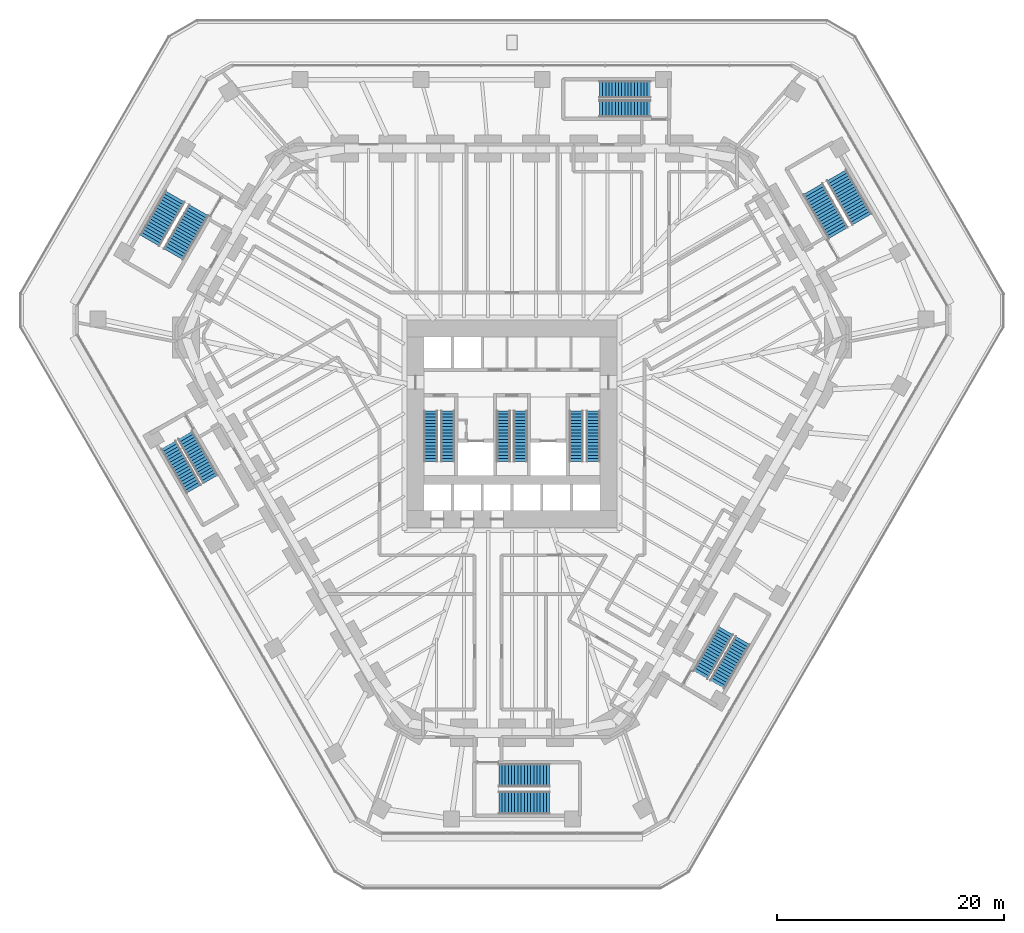
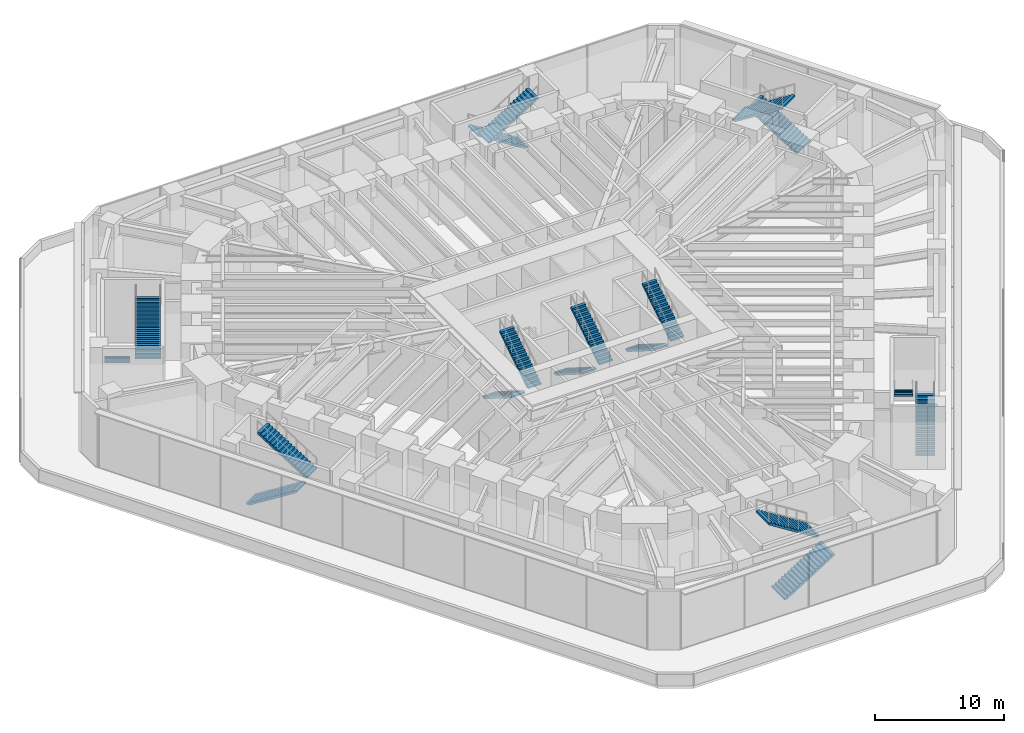
# One storey, part 20 of 24: 18 stair flights, 9 elements without a shape of their own.
"""IFC4 building model written with IfcOpenShell, lengths in metres."""

from ifc_helpers import new_model, si_unit, direction, frame, origin, place, context, subcontext, project, spatial, polyline, outline, extrude, material, type_object, element, aggregate, save


model = new_model("IFC4")

# Units and contexts
model_context = context("Model", 3, precision=1e-05, world=origin(), true_north=direction((0.0, 1.0)))
body_context = subcontext(model_context, "Body", "Model", "MODEL_VIEW")
ifc_project = project(units=[si_unit("LENGTHUNIT", "METRE"), si_unit("AREAUNIT", "SQUARE_METRE"), si_unit("VOLUMEUNIT", "CUBIC_METRE"), si_unit("PLANEANGLEUNIT", "RADIAN"), si_unit("MASSUNIT", "GRAM", prefix="KILO")], contexts=[model_context])

# Site, building, storey
site_placement = place(None, origin())
site = spatial("IfcSite", under=ifc_project, at=site_placement, CompositionType="ELEMENT")
building_placement = place(site_placement, origin())
building = spatial("IfcBuilding", under=site, at=building_placement, Name="Sandreach Pilgrim Tower", CompositionType="ELEMENT")
storey_placement = place(building_placement, frame((0.0, 0.0, 12.0)))
storey = spatial("IfcBuildingStorey", under=building, at=storey_placement, Name="L02", CompositionType="ELEMENT", Elevation=12.0)

# Stair, stair flights
ifc_material_1 = material(Name="Concrete 8000 psi", Category="concrete")
stair_type_1 = type_object("IfcStairType", Name="Core exit stair", PredefinedType="HALF_TURN_STAIR", material=ifc_material_1)
stair_1_placement = place(storey_placement, origin())
stair_1 = element("IfcStair", 1, at=stair_1_placement, inside=storey, type_object=stair_type_1, Name="Exit stair ST1 L02", PredefinedType="HALF_TURN_STAIR")
ifc_material_2 = material(Name="Concrete 8000 psi", Category="concrete")
stair_flight_type_1 = type_object("IfcStairFlightType", Name="Core stair flight 1200", PredefinedType="STRAIGHT", material=ifc_material_2)
stair_flight_1_placement = place(storey_placement, frame((-7.14990234375, -0.39990234375, 0.0), z_axis=(0.0, 0.0, 1.0), x_axis=(0.0, -1.0, 0.0)))
stair_flight_1 = element("IfcStairFlight", 2, at=stair_flight_1_placement, type_object=stair_flight_type_1, Name="ST1 flight 1", NumberOfRisers=17, NumberOfTreads=16, PredefinedType="STRAIGHT", RiserHeight=0.176470588, TreadLength=0.28, context=body_context, shape_type="SweptSolid", body=[
    extrude(outline(polyline([(0.0, 0.0), (0.0, 0.176513671875), (0.280029296875, 0.176513671875), (0.280029296875, 0.35302734375), (0.56005859375, 0.35302734375), (0.56005859375, 0.529296875), (0.840087890625, 0.529296875), (0.840087890625, 0.705810546875), (1.1201171875, 0.705810546875), (1.1201171875, 0.88232421875), (1.39990234375, 0.88232421875), (1.39990234375, 1.058837890625), (1.679931640625, 1.058837890625), (1.679931640625, 1.2353515625), (1.9599609375, 1.2353515625), (1.9599609375, 1.411865234375), (2.239990234375, 1.411865234375), (2.239990234375, 1.588134765625), (2.52001953125, 1.588134765625), (2.52001953125, 1.7646484375), (2.800048828125, 1.7646484375), (2.800048828125, 1.941162109375), (3.080078125, 1.941162109375), (3.080078125, 2.11767578125), (3.360107421875, 2.11767578125), (3.360107421875, 2.294189453125), (3.639892578125, 2.294189453125), (3.639892578125, 2.470703125), (3.919921875, 2.470703125), (3.919921875, 2.64697265625), (4.199951171875, 2.64697265625), (4.199951171875, 2.823486328125), (4.47998046875, 2.823486328125), (4.47998046875, 3.0), (4.47998046875, 2.646240234375), (0.28125, 0.0), (0.0, 0.0)])), frame((0.0, 0.60009765625, 0.0), z_axis=(0.0, -1.0, 0.0), x_axis=(1.0, 0.0, 0.0)), (0.0, 0.0, 1.0), 1.199951171875),
])
stair_flight_2_placement = place(storey_placement, frame((-5.64990234375, -4.8798828125, 3.0), z_axis=(0.0, 0.0, 1.0), x_axis=(0.0, 1.0, 0.0)))
stair_flight_2 = element("IfcStairFlight", 3, at=stair_flight_2_placement, type_object=stair_flight_type_1, Name="ST1 flight 2", NumberOfRisers=17, NumberOfTreads=16, PredefinedType="STRAIGHT", RiserHeight=0.176470588, TreadLength=0.28, context=body_context, shape_type="SweptSolid", body=[
    extrude(outline(polyline([(0.0, 0.0), (0.0, 0.176513671875), (0.280029296875, 0.176513671875), (0.280029296875, 0.35302734375), (0.56005859375, 0.35302734375), (0.56005859375, 0.529296875), (0.840087890625, 0.529296875), (0.840087890625, 0.705810546875), (1.1201171875, 0.705810546875), (1.1201171875, 0.88232421875), (1.39990234375, 0.88232421875), (1.39990234375, 1.058837890625), (1.679931640625, 1.058837890625), (1.679931640625, 1.2353515625), (1.9599609375, 1.2353515625), (1.9599609375, 1.411865234375), (2.239990234375, 1.411865234375), (2.239990234375, 1.588134765625), (2.52001953125, 1.588134765625), (2.52001953125, 1.7646484375), (2.800048828125, 1.7646484375), (2.800048828125, 1.941162109375), (3.080078125, 1.941162109375), (3.080078125, 2.11767578125), (3.360107421875, 2.11767578125), (3.360107421875, 2.294189453125), (3.639892578125, 2.294189453125), (3.639892578125, 2.470703125), (3.919921875, 2.470703125), (3.919921875, 2.64697265625), (4.199951171875, 2.64697265625), (4.199951171875, 2.823486328125), (4.47998046875, 2.823486328125), (4.47998046875, 3.0), (4.47998046875, 2.646240234375), (0.28125, 0.0), (0.0, 0.0)])), frame((0.0, 0.60009765625, 0.0), z_axis=(0.0, -1.0, 0.0), x_axis=(1.0, 0.0, 0.0)), (0.0, 0.0, 1.0), 1.199951171875),
])
aggregate(stair_1, [stair_flight_1, stair_flight_2])

stair_2_placement = place(storey_placement, origin())
stair_2 = element("IfcStair", 4, at=stair_2_placement, inside=storey, type_object=stair_type_1, Name="Exit stair ST3 L02", PredefinedType="HALF_TURN_STAIR")
stair_flight_3_placement = place(storey_placement, frame((-0.75, -0.39990234375, 0.0), z_axis=(0.0, 0.0, 1.0), x_axis=(0.0, -1.0, 0.0)))
stair_flight_3 = element("IfcStairFlight", 5, at=stair_flight_3_placement, type_object=stair_flight_type_1, Name="ST3 flight 1", NumberOfRisers=17, NumberOfTreads=16, PredefinedType="STRAIGHT", RiserHeight=0.176470588, TreadLength=0.28, context=body_context, shape_type="SweptSolid", body=[
    extrude(outline(polyline([(0.0, 0.0), (0.0, 0.176513671875), (0.280029296875, 0.176513671875), (0.280029296875, 0.35302734375), (0.56005859375, 0.35302734375), (0.56005859375, 0.529296875), (0.840087890625, 0.529296875), (0.840087890625, 0.705810546875), (1.1201171875, 0.705810546875), (1.1201171875, 0.88232421875), (1.39990234375, 0.88232421875), (1.39990234375, 1.058837890625), (1.679931640625, 1.058837890625), (1.679931640625, 1.2353515625), (1.9599609375, 1.2353515625), (1.9599609375, 1.411865234375), (2.239990234375, 1.411865234375), (2.239990234375, 1.588134765625), (2.52001953125, 1.588134765625), (2.52001953125, 1.7646484375), (2.800048828125, 1.7646484375), (2.800048828125, 1.941162109375), (3.080078125, 1.941162109375), (3.080078125, 2.11767578125), (3.360107421875, 2.11767578125), (3.360107421875, 2.294189453125), (3.639892578125, 2.294189453125), (3.639892578125, 2.470703125), (3.919921875, 2.470703125), (3.919921875, 2.64697265625), (4.199951171875, 2.64697265625), (4.199951171875, 2.823486328125), (4.47998046875, 2.823486328125), (4.47998046875, 3.0), (4.47998046875, 2.646240234375), (0.28125, 0.0), (0.0, 0.0)])), frame((0.0, 0.60009765625, 0.0), z_axis=(0.0, -1.0, 0.0), x_axis=(1.0, 0.0, 0.0)), (0.0, 0.0, 1.0), 1.199951171875),
])
stair_flight_4_placement = place(storey_placement, frame((0.75, -4.8798828125, 3.0), z_axis=(0.0, 0.0, 1.0), x_axis=(0.0, 1.0, 0.0)))
stair_flight_4 = element("IfcStairFlight", 6, at=stair_flight_4_placement, type_object=stair_flight_type_1, Name="ST3 flight 2", NumberOfRisers=17, NumberOfTreads=16, PredefinedType="STRAIGHT", RiserHeight=0.176470588, TreadLength=0.28, context=body_context, shape_type="SweptSolid", body=[
    extrude(outline(polyline([(0.0, 0.0), (0.0, 0.176513671875), (0.280029296875, 0.176513671875), (0.280029296875, 0.35302734375), (0.56005859375, 0.35302734375), (0.56005859375, 0.529296875), (0.840087890625, 0.529296875), (0.840087890625, 0.705810546875), (1.1201171875, 0.705810546875), (1.1201171875, 0.88232421875), (1.39990234375, 0.88232421875), (1.39990234375, 1.058837890625), (1.679931640625, 1.058837890625), (1.679931640625, 1.2353515625), (1.9599609375, 1.2353515625), (1.9599609375, 1.411865234375), (2.239990234375, 1.411865234375), (2.239990234375, 1.588134765625), (2.52001953125, 1.588134765625), (2.52001953125, 1.7646484375), (2.800048828125, 1.7646484375), (2.800048828125, 1.941162109375), (3.080078125, 1.941162109375), (3.080078125, 2.11767578125), (3.360107421875, 2.11767578125), (3.360107421875, 2.294189453125), (3.639892578125, 2.294189453125), (3.639892578125, 2.470703125), (3.919921875, 2.470703125), (3.919921875, 2.64697265625), (4.199951171875, 2.64697265625), (4.199951171875, 2.823486328125), (4.47998046875, 2.823486328125), (4.47998046875, 3.0), (4.47998046875, 2.646240234375), (0.28125, 0.0), (0.0, 0.0)])), frame((0.0, 0.60009765625, 0.0), z_axis=(0.0, -1.0, 0.0), x_axis=(1.0, 0.0, 0.0)), (0.0, 0.0, 1.0), 1.199951171875),
])
aggregate(stair_2, [stair_flight_3, stair_flight_4])

stair_3_placement = place(storey_placement, origin())
stair_3 = element("IfcStair", 7, at=stair_3_placement, inside=storey, type_object=stair_type_1, Name="Exit stair ST2 L02", PredefinedType="HALF_TURN_STAIR")
stair_flight_5_placement = place(storey_placement, frame((5.64990234375, -0.39990234375, 0.0), z_axis=(0.0, 0.0, 1.0), x_axis=(0.0, -1.0, 0.0)))
stair_flight_5 = element("IfcStairFlight", 8, at=stair_flight_5_placement, type_object=stair_flight_type_1, Name="ST2 flight 1", NumberOfRisers=17, NumberOfTreads=16, PredefinedType="STRAIGHT", RiserHeight=0.176470588, TreadLength=0.28, context=body_context, shape_type="SweptSolid", body=[
    extrude(outline(polyline([(0.0, 0.0), (0.0, 0.176513671875), (0.280029296875, 0.176513671875), (0.280029296875, 0.35302734375), (0.56005859375, 0.35302734375), (0.56005859375, 0.529296875), (0.840087890625, 0.529296875), (0.840087890625, 0.705810546875), (1.1201171875, 0.705810546875), (1.1201171875, 0.88232421875), (1.39990234375, 0.88232421875), (1.39990234375, 1.058837890625), (1.679931640625, 1.058837890625), (1.679931640625, 1.2353515625), (1.9599609375, 1.2353515625), (1.9599609375, 1.411865234375), (2.239990234375, 1.411865234375), (2.239990234375, 1.588134765625), (2.52001953125, 1.588134765625), (2.52001953125, 1.7646484375), (2.800048828125, 1.7646484375), (2.800048828125, 1.941162109375), (3.080078125, 1.941162109375), (3.080078125, 2.11767578125), (3.360107421875, 2.11767578125), (3.360107421875, 2.294189453125), (3.639892578125, 2.294189453125), (3.639892578125, 2.470703125), (3.919921875, 2.470703125), (3.919921875, 2.64697265625), (4.199951171875, 2.64697265625), (4.199951171875, 2.823486328125), (4.47998046875, 2.823486328125), (4.47998046875, 3.0), (4.47998046875, 2.646240234375), (0.28125, 0.0), (0.0, 0.0)])), frame((0.0, 0.60009765625, 0.0), z_axis=(0.0, -1.0, 0.0), x_axis=(1.0, 0.0, 0.0)), (0.0, 0.0, 1.0), 1.199951171875),
])
stair_flight_6_placement = place(storey_placement, frame((7.14990234375, -4.8798828125, 3.0), z_axis=(0.0, 0.0, 1.0), x_axis=(0.0, 1.0, 0.0)))
stair_flight_6 = element("IfcStairFlight", 9, at=stair_flight_6_placement, type_object=stair_flight_type_1, Name="ST2 flight 2", NumberOfRisers=17, NumberOfTreads=16, PredefinedType="STRAIGHT", RiserHeight=0.176470588, TreadLength=0.28, context=body_context, shape_type="SweptSolid", body=[
    extrude(outline(polyline([(0.0, 0.0), (0.0, 0.176513671875), (0.280029296875, 0.176513671875), (0.280029296875, 0.35302734375), (0.56005859375, 0.35302734375), (0.56005859375, 0.529296875), (0.840087890625, 0.529296875), (0.840087890625, 0.705810546875), (1.1201171875, 0.705810546875), (1.1201171875, 0.88232421875), (1.39990234375, 0.88232421875), (1.39990234375, 1.058837890625), (1.679931640625, 1.058837890625), (1.679931640625, 1.2353515625), (1.9599609375, 1.2353515625), (1.9599609375, 1.411865234375), (2.239990234375, 1.411865234375), (2.239990234375, 1.588134765625), (2.52001953125, 1.588134765625), (2.52001953125, 1.7646484375), (2.800048828125, 1.7646484375), (2.800048828125, 1.941162109375), (3.080078125, 1.941162109375), (3.080078125, 2.11767578125), (3.360107421875, 2.11767578125), (3.360107421875, 2.294189453125), (3.639892578125, 2.294189453125), (3.639892578125, 2.470703125), (3.919921875, 2.470703125), (3.919921875, 2.64697265625), (4.199951171875, 2.64697265625), (4.199951171875, 2.823486328125), (4.47998046875, 2.823486328125), (4.47998046875, 3.0), (4.47998046875, 2.646240234375), (0.28125, 0.0), (0.0, 0.0)])), frame((0.0, 0.60009765625, 0.0), z_axis=(0.0, -1.0, 0.0), x_axis=(1.0, 0.0, 0.0)), (0.0, 0.0, 1.0), 1.199951171875),
])
aggregate(stair_3, [stair_flight_5, stair_flight_6])

ifc_material_3 = material(Name="Concrete 8000 psi", Category="concrete")
stair_type_2 = type_object("IfcStairType", Name="Narrow podium exit stair", PredefinedType="HALF_TURN_STAIR", material=ifc_material_3)
stair_4_placement = place(storey_placement, origin())
stair_4 = element("IfcStair", 10, at=stair_4_placement, inside=storey, type_object=stair_type_2, Name="Exit stair ST7 L02", PredefinedType="HALF_TURN_STAIR")
ifc_material_4 = material(Name="Concrete 8000 psi", Category="concrete")
stair_flight_type_2 = type_object("IfcStairFlightType", Name="Podium stair flight 1500", PredefinedType="STRAIGHT", material=ifc_material_4)
stair_flight_7_placement = place(storey_placement, frame((12.1796875, 27.898681640625, 0.0), z_axis=(0.0, 0.0, 1.0), x_axis=(-1.0, 0.0, 0.0)))
stair_flight_7 = element("IfcStairFlight", 11, at=stair_flight_7_placement, type_object=stair_flight_type_2, Name="ST7 flight 1", NumberOfRisers=17, NumberOfTreads=16, PredefinedType="STRAIGHT", RiserHeight=0.176470588, TreadLength=0.28, context=body_context, shape_type="SweptSolid", body=[
    extrude(outline(polyline([(0.0, 0.0), (0.0, 0.176513671875), (0.280029296875, 0.176513671875), (0.280029296875, 0.35302734375), (0.56005859375, 0.35302734375), (0.56005859375, 0.529296875), (0.840087890625, 0.529296875), (0.840087890625, 0.705810546875), (1.1201171875, 0.705810546875), (1.1201171875, 0.88232421875), (1.39990234375, 0.88232421875), (1.39990234375, 1.058837890625), (1.679931640625, 1.058837890625), (1.679931640625, 1.2353515625), (1.9599609375, 1.2353515625), (1.9599609375, 1.411865234375), (2.239990234375, 1.411865234375), (2.239990234375, 1.588134765625), (2.52001953125, 1.588134765625), (2.52001953125, 1.7646484375), (2.800048828125, 1.7646484375), (2.800048828125, 1.941162109375), (3.080078125, 1.941162109375), (3.080078125, 2.11767578125), (3.360107421875, 2.11767578125), (3.360107421875, 2.294189453125), (3.639892578125, 2.294189453125), (3.639892578125, 2.470703125), (3.919921875, 2.470703125), (3.919921875, 2.64697265625), (4.199951171875, 2.64697265625), (4.199951171875, 2.823486328125), (4.47998046875, 2.823486328125), (4.47998046875, 3.0), (4.47998046875, 2.646240234375), (0.28125, 0.0), (0.0, 0.0)])), frame((0.0, 0.75, 0.0), z_axis=(0.0, -1.0, 0.0), x_axis=(1.0, 0.0, 0.0)), (0.0, 0.0, 1.0), 1.5),
])
stair_flight_8_placement = place(storey_placement, frame((7.69970703125, 26.19873046875, 3.0), z_axis=(0.0, 0.0, 1.0), x_axis=(1.0, 0.0, 0.0)))
stair_flight_8 = element("IfcStairFlight", 12, at=stair_flight_8_placement, type_object=stair_flight_type_2, Name="ST7 flight 2", NumberOfRisers=17, NumberOfTreads=16, PredefinedType="STRAIGHT", RiserHeight=0.176470588, TreadLength=0.28, context=body_context, shape_type="SweptSolid", body=[
    extrude(outline(polyline([(0.0, 0.0), (0.0, 0.176513671875), (0.280029296875, 0.176513671875), (0.280029296875, 0.35302734375), (0.56005859375, 0.35302734375), (0.56005859375, 0.529296875), (0.840087890625, 0.529296875), (0.840087890625, 0.705810546875), (1.1201171875, 0.705810546875), (1.1201171875, 0.88232421875), (1.39990234375, 0.88232421875), (1.39990234375, 1.058837890625), (1.679931640625, 1.058837890625), (1.679931640625, 1.2353515625), (1.9599609375, 1.2353515625), (1.9599609375, 1.411865234375), (2.239990234375, 1.411865234375), (2.239990234375, 1.588134765625), (2.52001953125, 1.588134765625), (2.52001953125, 1.7646484375), (2.800048828125, 1.7646484375), (2.800048828125, 1.941162109375), (3.080078125, 1.941162109375), (3.080078125, 2.11767578125), (3.360107421875, 2.11767578125), (3.360107421875, 2.294189453125), (3.639892578125, 2.294189453125), (3.639892578125, 2.470703125), (3.919921875, 2.470703125), (3.919921875, 2.64697265625), (4.199951171875, 2.64697265625), (4.199951171875, 2.823486328125), (4.47998046875, 2.823486328125), (4.47998046875, 3.0), (4.47998046875, 2.646240234375), (0.28125, 0.0), (0.0, 0.0)])), frame((0.0, 0.75, 0.0), z_axis=(0.0, -1.0, 0.0), x_axis=(1.0, 0.0, 0.0)), (0.0, 0.0, 1.0), 1.5),
])
aggregate(stair_4, [stair_flight_7, stair_flight_8])

stair_5_placement = place(storey_placement, origin())
stair_5 = element("IfcStair", 13, at=stair_5_placement, inside=storey, type_object=stair_type_2, Name="Exit stair ST8 L02", PredefinedType="HALF_TURN_STAIR")
stair_flight_9_placement = place(storey_placement, frame((18.071044921875, -24.497314453125, 0.0), z_axis=(0.0, 0.0, 1.0), x_axis=(0.5, 0.866025403784, 0.0)))
stair_flight_9 = element("IfcStairFlight", 14, at=stair_flight_9_placement, type_object=stair_flight_type_2, Name="ST8 flight 1", NumberOfRisers=17, NumberOfTreads=16, PredefinedType="STRAIGHT", RiserHeight=0.176470588, TreadLength=0.28, context=body_context, shape_type="SweptSolid", body=[
    extrude(outline(polyline([(0.0, 0.0), (0.0, 0.176513671875), (0.280029296875, 0.176513671875), (0.280029296875, 0.35302734375), (0.56005859375, 0.35302734375), (0.56005859375, 0.529296875), (0.840087890625, 0.529296875), (0.840087890625, 0.705810546875), (1.1201171875, 0.705810546875), (1.1201171875, 0.88232421875), (1.39990234375, 0.88232421875), (1.39990234375, 1.058837890625), (1.679931640625, 1.058837890625), (1.679931640625, 1.2353515625), (1.9599609375, 1.2353515625), (1.9599609375, 1.411865234375), (2.239990234375, 1.411865234375), (2.239990234375, 1.588134765625), (2.52001953125, 1.588134765625), (2.52001953125, 1.7646484375), (2.800048828125, 1.7646484375), (2.800048828125, 1.941162109375), (3.080078125, 1.941162109375), (3.080078125, 2.11767578125), (3.360107421875, 2.11767578125), (3.360107421875, 2.294189453125), (3.639892578125, 2.294189453125), (3.639892578125, 2.470703125), (3.919921875, 2.470703125), (3.919921875, 2.64697265625), (4.199951171875, 2.64697265625), (4.199951171875, 2.823486328125), (4.47998046875, 2.823486328125), (4.47998046875, 3.0), (4.47998046875, 2.646240234375), (0.28125, 0.0), (0.0, 0.0)])), frame((0.0, 0.75, 0.0), z_axis=(0.0, -1.0, 0.0), x_axis=(1.0, 0.0, 0.0)), (0.0, 0.0, 1.0), 1.5),
])
stair_flight_10_placement = place(storey_placement, frame((18.8388671875, -19.767578125, 3.0), z_axis=(0.0, 0.0, 1.0), x_axis=(-0.5, -0.866025403784, 0.0)))
stair_flight_10 = element("IfcStairFlight", 15, at=stair_flight_10_placement, type_object=stair_flight_type_2, Name="ST8 flight 2", NumberOfRisers=17, NumberOfTreads=16, PredefinedType="STRAIGHT", RiserHeight=0.176470588, TreadLength=0.28, context=body_context, shape_type="SweptSolid", body=[
    extrude(outline(polyline([(0.0, 0.0), (0.0, 0.176513671875), (0.280029296875, 0.176513671875), (0.280029296875, 0.35302734375), (0.56005859375, 0.35302734375), (0.56005859375, 0.529296875), (0.840087890625, 0.529296875), (0.840087890625, 0.705810546875), (1.1201171875, 0.705810546875), (1.1201171875, 0.88232421875), (1.39990234375, 0.88232421875), (1.39990234375, 1.058837890625), (1.679931640625, 1.058837890625), (1.679931640625, 1.2353515625), (1.9599609375, 1.2353515625), (1.9599609375, 1.411865234375), (2.239990234375, 1.411865234375), (2.239990234375, 1.588134765625), (2.52001953125, 1.588134765625), (2.52001953125, 1.7646484375), (2.800048828125, 1.7646484375), (2.800048828125, 1.941162109375), (3.080078125, 1.941162109375), (3.080078125, 2.11767578125), (3.360107421875, 2.11767578125), (3.360107421875, 2.294189453125), (3.639892578125, 2.294189453125), (3.639892578125, 2.470703125), (3.919921875, 2.470703125), (3.919921875, 2.64697265625), (4.199951171875, 2.64697265625), (4.199951171875, 2.823486328125), (4.47998046875, 2.823486328125), (4.47998046875, 3.0), (4.47998046875, 2.646240234375), (0.28125, 0.0), (0.0, 0.0)])), frame((0.0, 0.75, 0.0), z_axis=(0.0, -1.0, 0.0), x_axis=(1.0, 0.0, 0.0)), (0.0, 0.0, 1.0), 1.5),
])
aggregate(stair_5, [stair_flight_9, stair_flight_10])

stair_6_placement = place(storey_placement, origin())
stair_6 = element("IfcStair", 16, at=stair_6_placement, inside=storey, type_object=stair_type_2, Name="Exit stair ST9 L02", PredefinedType="HALF_TURN_STAIR")
stair_flight_11_placement = place(storey_placement, frame((-30.2509765625, -3.4013671875, 0.0), z_axis=(0.0, 0.0, 1.0), x_axis=(0.5, -0.866025403784, 0.0)))
stair_flight_11 = element("IfcStairFlight", 17, at=stair_flight_11_placement, type_object=stair_flight_type_2, Name="ST9 flight 1", NumberOfRisers=17, NumberOfTreads=16, PredefinedType="STRAIGHT", RiserHeight=0.176470588, TreadLength=0.28, context=body_context, shape_type="SweptSolid", body=[
    extrude(outline(polyline([(0.0, 0.0), (0.0, 0.176513671875), (0.280029296875, 0.176513671875), (0.280029296875, 0.35302734375), (0.56005859375, 0.35302734375), (0.56005859375, 0.529296875), (0.840087890625, 0.529296875), (0.840087890625, 0.705810546875), (1.1201171875, 0.705810546875), (1.1201171875, 0.88232421875), (1.39990234375, 0.88232421875), (1.39990234375, 1.058837890625), (1.679931640625, 1.058837890625), (1.679931640625, 1.2353515625), (1.9599609375, 1.2353515625), (1.9599609375, 1.411865234375), (2.239990234375, 1.411865234375), (2.239990234375, 1.588134765625), (2.52001953125, 1.588134765625), (2.52001953125, 1.7646484375), (2.800048828125, 1.7646484375), (2.800048828125, 1.941162109375), (3.080078125, 1.941162109375), (3.080078125, 2.11767578125), (3.360107421875, 2.11767578125), (3.360107421875, 2.294189453125), (3.639892578125, 2.294189453125), (3.639892578125, 2.470703125), (3.919921875, 2.470703125), (3.919921875, 2.64697265625), (4.199951171875, 2.64697265625), (4.199951171875, 2.823486328125), (4.47998046875, 2.823486328125), (4.47998046875, 3.0), (4.47998046875, 2.646240234375), (0.28125, 0.0), (0.0, 0.0)])), frame((0.0, 0.75, 0.0), z_axis=(0.0, -1.0, 0.0), x_axis=(1.0, 0.0, 0.0)), (0.0, 0.0, 1.0), 1.5),
])
stair_flight_12_placement = place(storey_placement, frame((-26.53857421875, -6.43115234375, 3.0), z_axis=(0.0, 0.0, 1.0), x_axis=(-0.5, 0.866025403784, 0.0)))
stair_flight_12 = element("IfcStairFlight", 18, at=stair_flight_12_placement, type_object=stair_flight_type_2, Name="ST9 flight 2", NumberOfRisers=17, NumberOfTreads=16, PredefinedType="STRAIGHT", RiserHeight=0.176470588, TreadLength=0.28, context=body_context, shape_type="SweptSolid", body=[
    extrude(outline(polyline([(0.0, 0.0), (0.0, 0.176513671875), (0.280029296875, 0.176513671875), (0.280029296875, 0.35302734375), (0.56005859375, 0.35302734375), (0.56005859375, 0.529296875), (0.840087890625, 0.529296875), (0.840087890625, 0.705810546875), (1.1201171875, 0.705810546875), (1.1201171875, 0.88232421875), (1.39990234375, 0.88232421875), (1.39990234375, 1.058837890625), (1.679931640625, 1.058837890625), (1.679931640625, 1.2353515625), (1.9599609375, 1.2353515625), (1.9599609375, 1.411865234375), (2.239990234375, 1.411865234375), (2.239990234375, 1.588134765625), (2.52001953125, 1.588134765625), (2.52001953125, 1.7646484375), (2.800048828125, 1.7646484375), (2.800048828125, 1.941162109375), (3.080078125, 1.941162109375), (3.080078125, 2.11767578125), (3.360107421875, 2.11767578125), (3.360107421875, 2.294189453125), (3.639892578125, 2.294189453125), (3.639892578125, 2.470703125), (3.919921875, 2.470703125), (3.919921875, 2.64697265625), (4.199951171875, 2.64697265625), (4.199951171875, 2.823486328125), (4.47998046875, 2.823486328125), (4.47998046875, 3.0), (4.47998046875, 2.646240234375), (0.28125, 0.0), (0.0, 0.0)])), frame((0.0, 0.75, 0.0), z_axis=(0.0, -1.0, 0.0), x_axis=(1.0, 0.0, 0.0)), (0.0, 0.0, 1.0), 1.5),
])
aggregate(stair_6, [stair_flight_11, stair_flight_12])

ifc_material_5 = material(Name="Concrete 8000 psi", Category="concrete")
stair_type_3 = type_object("IfcStairType", Name="Podium exit stair", PredefinedType="HALF_TURN_STAIR", material=ifc_material_5)
stair_7_placement = place(storey_placement, origin())
stair_7 = element("IfcStair", 19, at=stair_7_placement, inside=storey, type_object=stair_type_3, Name="Exit stair ST4 L02", PredefinedType="HALF_TURN_STAIR")
ifc_material_6 = material(Name="Concrete 8000 psi", Category="concrete")
stair_flight_type_3 = type_object("IfcStairFlightType", Name="Podium stair flight 2000", PredefinedType="STRAIGHT", material=ifc_material_6)
stair_flight_13_placement = place(storey_placement, frame((30.814208984375, 16.449951171875, 0.0), z_axis=(0.0, 0.0, 1.0), x_axis=(-0.5, 0.866025403784, 0.0)))
stair_flight_13 = element("IfcStairFlight", 20, at=stair_flight_13_placement, type_object=stair_flight_type_3, Name="ST4 flight 1", NumberOfRisers=17, NumberOfTreads=16, PredefinedType="STRAIGHT", RiserHeight=0.176470588, TreadLength=0.28, context=body_context, shape_type="SweptSolid", body=[
    extrude(outline(polyline([(0.0, 0.0), (0.0, 0.176513671875), (0.280029296875, 0.176513671875), (0.280029296875, 0.35302734375), (0.56005859375, 0.35302734375), (0.56005859375, 0.529296875), (0.840087890625, 0.529296875), (0.840087890625, 0.705810546875), (1.1201171875, 0.705810546875), (1.1201171875, 0.88232421875), (1.39990234375, 0.88232421875), (1.39990234375, 1.058837890625), (1.679931640625, 1.058837890625), (1.679931640625, 1.2353515625), (1.9599609375, 1.2353515625), (1.9599609375, 1.411865234375), (2.239990234375, 1.411865234375), (2.239990234375, 1.588134765625), (2.52001953125, 1.588134765625), (2.52001953125, 1.7646484375), (2.800048828125, 1.7646484375), (2.800048828125, 1.941162109375), (3.080078125, 1.941162109375), (3.080078125, 2.11767578125), (3.360107421875, 2.11767578125), (3.360107421875, 2.294189453125), (3.639892578125, 2.294189453125), (3.639892578125, 2.470703125), (3.919921875, 2.470703125), (3.919921875, 2.64697265625), (4.199951171875, 2.64697265625), (4.199951171875, 2.823486328125), (4.47998046875, 2.823486328125), (4.47998046875, 3.0), (4.47998046875, 2.646240234375), (0.28125, 0.0), (0.0, 0.0)])), frame((0.0, 1.0, 0.0), z_axis=(0.0, -1.0, 0.0), x_axis=(1.0, 0.0, 0.0)), (0.0, 0.0, 1.0), 2.0),
])
stair_flight_14_placement = place(storey_placement, frame((26.495849609375, 19.129638671875, 3.0), z_axis=(0.0, 0.0, 1.0), x_axis=(0.5, -0.866025403784, 0.0)))
stair_flight_14 = element("IfcStairFlight", 21, at=stair_flight_14_placement, type_object=stair_flight_type_3, Name="ST4 flight 2", NumberOfRisers=17, NumberOfTreads=16, PredefinedType="STRAIGHT", RiserHeight=0.176470588, TreadLength=0.28, context=body_context, shape_type="SweptSolid", body=[
    extrude(outline(polyline([(0.0, 0.0), (0.0, 0.176513671875), (0.280029296875, 0.176513671875), (0.280029296875, 0.35302734375), (0.56005859375, 0.35302734375), (0.56005859375, 0.529296875), (0.840087890625, 0.529296875), (0.840087890625, 0.705810546875), (1.1201171875, 0.705810546875), (1.1201171875, 0.88232421875), (1.39990234375, 0.88232421875), (1.39990234375, 1.058837890625), (1.679931640625, 1.058837890625), (1.679931640625, 1.2353515625), (1.9599609375, 1.2353515625), (1.9599609375, 1.411865234375), (2.239990234375, 1.411865234375), (2.239990234375, 1.588134765625), (2.52001953125, 1.588134765625), (2.52001953125, 1.7646484375), (2.800048828125, 1.7646484375), (2.800048828125, 1.941162109375), (3.080078125, 1.941162109375), (3.080078125, 2.11767578125), (3.360107421875, 2.11767578125), (3.360107421875, 2.294189453125), (3.639892578125, 2.294189453125), (3.639892578125, 2.470703125), (3.919921875, 2.470703125), (3.919921875, 2.64697265625), (4.199951171875, 2.64697265625), (4.199951171875, 2.823486328125), (4.47998046875, 2.823486328125), (4.47998046875, 3.0), (4.47998046875, 2.646240234375), (0.28125, 0.0), (0.0, 0.0)])), frame((0.0, 1.0, 0.0), z_axis=(0.0, -1.0, 0.0), x_axis=(1.0, 0.0, 0.0)), (0.0, 0.0, 1.0), 2.0),
])
aggregate(stair_7, [stair_flight_13, stair_flight_14])

stair_8_placement = place(storey_placement, origin())
stair_8 = element("IfcStair", 22, at=stair_8_placement, inside=storey, type_object=stair_type_3, Name="Exit stair ST5 L02", PredefinedType="HALF_TURN_STAIR")
stair_flight_15_placement = place(storey_placement, frame((-1.1611328125, -34.910888671875, 0.0), z_axis=(0.0, 0.0, 1.0), x_axis=(1.0, 0.0, 0.0)))
stair_flight_15 = element("IfcStairFlight", 23, at=stair_flight_15_placement, type_object=stair_flight_type_3, Name="ST5 flight 1", NumberOfRisers=17, NumberOfTreads=16, PredefinedType="STRAIGHT", RiserHeight=0.176470588, TreadLength=0.28, context=body_context, shape_type="SweptSolid", body=[
    extrude(outline(polyline([(0.0, 0.0), (0.0, 0.176513671875), (0.280029296875, 0.176513671875), (0.280029296875, 0.35302734375), (0.56005859375, 0.35302734375), (0.56005859375, 0.529296875), (0.840087890625, 0.529296875), (0.840087890625, 0.705810546875), (1.1201171875, 0.705810546875), (1.1201171875, 0.88232421875), (1.39990234375, 0.88232421875), (1.39990234375, 1.058837890625), (1.679931640625, 1.058837890625), (1.679931640625, 1.2353515625), (1.9599609375, 1.2353515625), (1.9599609375, 1.411865234375), (2.239990234375, 1.411865234375), (2.239990234375, 1.588134765625), (2.52001953125, 1.588134765625), (2.52001953125, 1.7646484375), (2.800048828125, 1.7646484375), (2.800048828125, 1.941162109375), (3.080078125, 1.941162109375), (3.080078125, 2.11767578125), (3.360107421875, 2.11767578125), (3.360107421875, 2.294189453125), (3.639892578125, 2.294189453125), (3.639892578125, 2.470703125), (3.919921875, 2.470703125), (3.919921875, 2.64697265625), (4.199951171875, 2.64697265625), (4.199951171875, 2.823486328125), (4.47998046875, 2.823486328125), (4.47998046875, 3.0), (4.47998046875, 2.646240234375), (0.28125, 0.0), (0.0, 0.0)])), frame((0.0, 1.0, 0.0), z_axis=(0.0, -1.0, 0.0), x_axis=(1.0, 0.0, 0.0)), (0.0, 0.0, 1.0), 2.0),
])
stair_flight_16_placement = place(storey_placement, frame((3.31884765625, -32.510986328125, 3.0), z_axis=(0.0, 0.0, 1.0), x_axis=(-1.0, 0.0, 0.0)))
stair_flight_16 = element("IfcStairFlight", 24, at=stair_flight_16_placement, type_object=stair_flight_type_3, Name="ST5 flight 2", NumberOfRisers=17, NumberOfTreads=16, PredefinedType="STRAIGHT", RiserHeight=0.176470588, TreadLength=0.28, context=body_context, shape_type="SweptSolid", body=[
    extrude(outline(polyline([(0.0, 0.0), (0.0, 0.176513671875), (0.280029296875, 0.176513671875), (0.280029296875, 0.35302734375), (0.56005859375, 0.35302734375), (0.56005859375, 0.529296875), (0.840087890625, 0.529296875), (0.840087890625, 0.705810546875), (1.1201171875, 0.705810546875), (1.1201171875, 0.88232421875), (1.39990234375, 0.88232421875), (1.39990234375, 1.058837890625), (1.679931640625, 1.058837890625), (1.679931640625, 1.2353515625), (1.9599609375, 1.2353515625), (1.9599609375, 1.411865234375), (2.239990234375, 1.411865234375), (2.239990234375, 1.588134765625), (2.52001953125, 1.588134765625), (2.52001953125, 1.7646484375), (2.800048828125, 1.7646484375), (2.800048828125, 1.941162109375), (3.080078125, 1.941162109375), (3.080078125, 2.11767578125), (3.360107421875, 2.11767578125), (3.360107421875, 2.294189453125), (3.639892578125, 2.294189453125), (3.639892578125, 2.470703125), (3.919921875, 2.470703125), (3.919921875, 2.64697265625), (4.199951171875, 2.64697265625), (4.199951171875, 2.823486328125), (4.47998046875, 2.823486328125), (4.47998046875, 3.0), (4.47998046875, 2.646240234375), (0.28125, 0.0), (0.0, 0.0)])), frame((0.0, 1.0, 0.0), z_axis=(0.0, -1.0, 0.0), x_axis=(1.0, 0.0, 0.0)), (0.0, 0.0, 1.0), 2.0),
])
aggregate(stair_8, [stair_flight_15, stair_flight_16])

stair_9_placement = place(storey_placement, origin())
stair_9 = element("IfcStair", 25, at=stair_9_placement, inside=storey, type_object=stair_type_3, Name="Exit stair ST6 L02", PredefinedType="HALF_TURN_STAIR")
stair_flight_17_placement = place(storey_placement, frame((-29.653076171875, 18.4609375, 0.0), z_axis=(0.0, 0.0, 1.0), x_axis=(-0.5, -0.866025403784, 0.0)))
stair_flight_17 = element("IfcStairFlight", 26, at=stair_flight_17_placement, type_object=stair_flight_type_3, Name="ST6 flight 1", NumberOfRisers=17, NumberOfTreads=16, PredefinedType="STRAIGHT", RiserHeight=0.176470588, TreadLength=0.28, context=body_context, shape_type="SweptSolid", body=[
    extrude(outline(polyline([(0.0, 0.0), (0.0, 0.176513671875), (0.280029296875, 0.176513671875), (0.280029296875, 0.35302734375), (0.56005859375, 0.35302734375), (0.56005859375, 0.529296875), (0.840087890625, 0.529296875), (0.840087890625, 0.705810546875), (1.1201171875, 0.705810546875), (1.1201171875, 0.88232421875), (1.39990234375, 0.88232421875), (1.39990234375, 1.058837890625), (1.679931640625, 1.058837890625), (1.679931640625, 1.2353515625), (1.9599609375, 1.2353515625), (1.9599609375, 1.411865234375), (2.239990234375, 1.411865234375), (2.239990234375, 1.588134765625), (2.52001953125, 1.588134765625), (2.52001953125, 1.7646484375), (2.800048828125, 1.7646484375), (2.800048828125, 1.941162109375), (3.080078125, 1.941162109375), (3.080078125, 2.11767578125), (3.360107421875, 2.11767578125), (3.360107421875, 2.294189453125), (3.639892578125, 2.294189453125), (3.639892578125, 2.470703125), (3.919921875, 2.470703125), (3.919921875, 2.64697265625), (4.199951171875, 2.64697265625), (4.199951171875, 2.823486328125), (4.47998046875, 2.823486328125), (4.47998046875, 3.0), (4.47998046875, 2.646240234375), (0.28125, 0.0), (0.0, 0.0)])), frame((0.0, 1.0, 0.0), z_axis=(0.0, -1.0, 0.0), x_axis=(1.0, 0.0, 0.0)), (0.0, 0.0, 1.0), 2.0),
])
stair_flight_18_placement = place(storey_placement, frame((-29.814697265625, 13.38134765625, 3.0), z_axis=(0.0, 0.0, 1.0), x_axis=(0.5, 0.866025403784, 0.0)))
stair_flight_18 = element("IfcStairFlight", 27, at=stair_flight_18_placement, type_object=stair_flight_type_3, Name="ST6 flight 2", NumberOfRisers=17, NumberOfTreads=16, PredefinedType="STRAIGHT", RiserHeight=0.176470588, TreadLength=0.28, context=body_context, shape_type="SweptSolid", body=[
    extrude(outline(polyline([(0.0, 0.0), (0.0, 0.176513671875), (0.280029296875, 0.176513671875), (0.280029296875, 0.35302734375), (0.56005859375, 0.35302734375), (0.56005859375, 0.529296875), (0.840087890625, 0.529296875), (0.840087890625, 0.705810546875), (1.1201171875, 0.705810546875), (1.1201171875, 0.88232421875), (1.39990234375, 0.88232421875), (1.39990234375, 1.058837890625), (1.679931640625, 1.058837890625), (1.679931640625, 1.2353515625), (1.9599609375, 1.2353515625), (1.9599609375, 1.411865234375), (2.239990234375, 1.411865234375), (2.239990234375, 1.588134765625), (2.52001953125, 1.588134765625), (2.52001953125, 1.7646484375), (2.800048828125, 1.7646484375), (2.800048828125, 1.941162109375), (3.080078125, 1.941162109375), (3.080078125, 2.11767578125), (3.360107421875, 2.11767578125), (3.360107421875, 2.294189453125), (3.639892578125, 2.294189453125), (3.639892578125, 2.470703125), (3.919921875, 2.470703125), (3.919921875, 2.64697265625), (4.199951171875, 2.64697265625), (4.199951171875, 2.823486328125), (4.47998046875, 2.823486328125), (4.47998046875, 3.0), (4.47998046875, 2.646240234375), (0.28125, 0.0), (0.0, 0.0)])), frame((0.0, 1.0, 0.0), z_axis=(0.0, -1.0, 0.0), x_axis=(1.0, 0.0, 0.0)), (0.0, 0.0, 1.0), 2.0),
])
aggregate(stair_9, [stair_flight_17, stair_flight_18])

save(model, "model.ifc")
